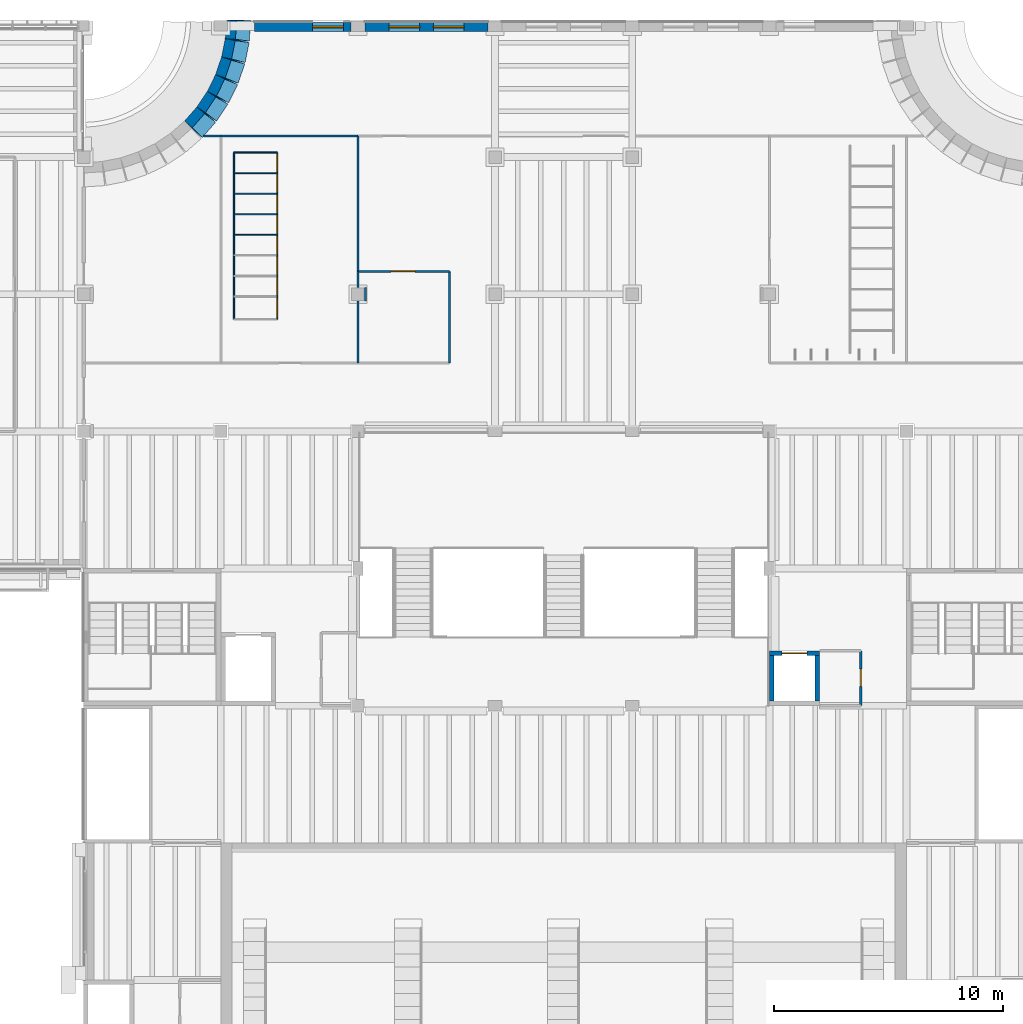
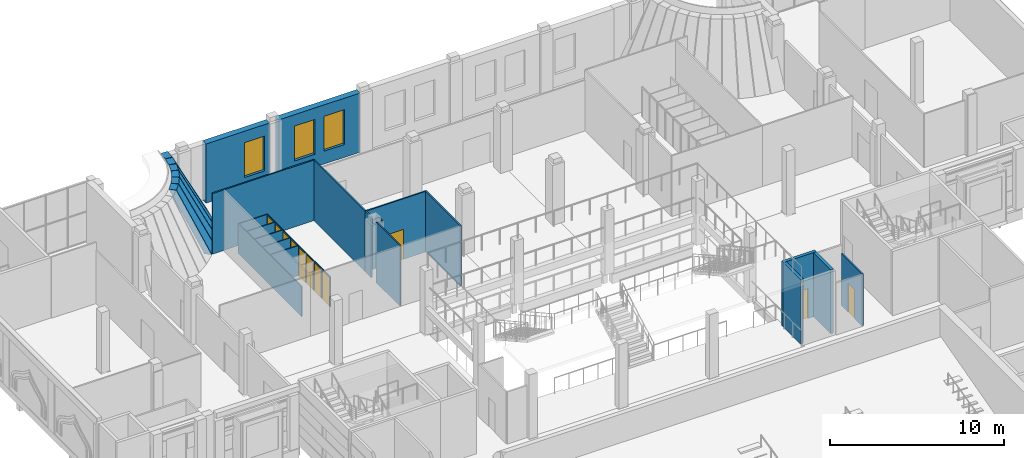
# One storey, part 32 of 70: 34 walls, 11 doors, 3 windows, 14 openings.
"""IFC4 building model written with IfcOpenShell, lengths in metres."""

from ifc_helpers import new_model, si_unit, direction, frame, frame_2d, origin, place, context, subcontext, project, spatial, polyline, rectangle, outline, extrude, material, layer, layer_set, type_object, element, fill, save


model = new_model("IFC4")

# Units and contexts
model_context = context("Model", 3, precision=1e-05, world=origin(), true_north=direction((0.0, 1.0)))
body_context = subcontext(model_context, "Body", "Model", "MODEL_VIEW")
ifc_project = project(units=[si_unit("LENGTHUNIT", "METRE"), si_unit("AREAUNIT", "SQUARE_METRE"), si_unit("VOLUMEUNIT", "CUBIC_METRE"), si_unit("PLANEANGLEUNIT", "RADIAN"), si_unit("MASSUNIT", "GRAM", prefix="KILO")], contexts=[model_context])

# Site, building, storey
site_placement = place(None, origin())
site = spatial("IfcSite", under=ifc_project, at=site_placement, CompositionType="ELEMENT")
building_placement = place(site_placement, origin())
building = spatial("IfcBuilding", under=site, at=building_placement, Name="Saffron Lane Theatres", CompositionType="ELEMENT")
storey_placement = place(building_placement, frame((0.0, 0.0, 12.0)))
storey = spatial("IfcBuildingStorey", under=building, at=storey_placement, Name="L02", CompositionType="ELEMENT", Elevation=12.0)

# Wall, openings, windows
ifc_material_1 = material(Name="Masonry pale clay brick", Category="masonry")
ifc_layer_1 = layer(ifc_material_1, 0.11, Name="facing leaf")
ifc_material_2 = material(Name="Air cavity", Category="air")
ifc_layer_2 = layer(ifc_material_2, 0.05, ventilated=True, Name="cavity")
ifc_material_3 = material(Name="Mineral wool insulation")
ifc_layer_3 = layer(ifc_material_3, 0.06, Name="insulation")
ifc_material_4 = material(Name="Concrete N40 (40 MPa)", Category="concrete")
ifc_layer_4 = layer(ifc_material_4, 0.18, Name="inner leaf")
ifc_layer_set_1 = layer_set([ifc_layer_1, ifc_layer_2, ifc_layer_3, ifc_layer_4], Name="Masonry pale clay brick")
wall_type_1 = type_object("IfcWallType", Name="EX-WALL BRICK 400", PredefinedType="SOLIDWALL", material=ifc_layer_set_1)
wall_1_placement = place(storey_placement, frame((24.300048828125, 125.699951171875, 0.0), z_axis=(0.0, 0.0, 1.0), x_axis=(1.0, 0.0, 0.0)))
wall_1 = element("IfcWall", 1, at=wall_1_placement, inside=storey, type_object=wall_type_1, Name="External wall L02 12", PredefinedType="SOLIDWALL", context=body_context, shape_type="SweptSolid", body=[
    extrude(rectangle(XDim=5.39990234375, YDim=0.39990234375, at=frame_2d((2.699951171875, 0.0))), origin(), (0.0, 0.0, 1.0), 4.14990234375),
])
opening_1_placement = place(wall_1_placement, frame((1.050048828125, 0.0, 0.89990234375)))
opening_1 = element("IfcOpeningElement", 2, at=opening_1_placement, cuts=wall_1, Name="Opening WN02-010", PredefinedType="OPENING", context=body_context, shape_type="SweptSolid", body=[
    extrude(rectangle(XDim=1.35009765625, YDim=2.449951171875, at=frame_2d((0.675048828125, 1.22509765625))), frame((0.0, 0.2099609375, 0.0), z_axis=(0.0, -1.0, 0.0), x_axis=(1.0, 0.0, 0.0)), (0.0, 0.0, 1.0), 0.419921875),
])
opening_2_placement = place(wall_1_placement, frame((3.0, 0.0, 0.89990234375)))
opening_2 = element("IfcOpeningElement", 3, at=opening_2_placement, cuts=wall_1, Name="Opening WN02-011", PredefinedType="OPENING", context=body_context, shape_type="SweptSolid", body=[
    extrude(rectangle(XDim=1.35009765625, YDim=2.449951171875, at=frame_2d((0.675048828125, 1.22509765625))), frame((0.0, 0.2099609375, 0.0), z_axis=(0.0, -1.0, 0.0), x_axis=(1.0, 0.0, 0.0)), (0.0, 0.0, 1.0), 0.419921875),
])
ifc_material_5 = material(Name="Aluminium", Category="aluminium")
window_type = type_object("IfcWindowType", Name="EX-WINDOW 1350x2450", PartitioningType="SINGLE_PANEL", PredefinedType="WINDOW", material=ifc_material_5)
window_1_placement = place(opening_1_placement, origin())
window_1 = element("IfcWindow", 4, at=window_1_placement, inside=storey, type_object=window_type, Name="Window L02 010", OverallHeight=2.449951171875, OverallWidth=1.35009765625, PartitioningType="SINGLE_PANEL", PredefinedType="WINDOW", context=body_context, shape_type="SweptSolid", body=[
    extrude(rectangle(XDim=1.35009765625, YDim=2.449951171875, at=frame_2d((0.675048828125, 1.22509765625))), frame((0.0, 0.030029296875, 0.0), z_axis=(0.0, -1.0, 0.0), x_axis=(1.0, 0.0, 0.0)), (0.0, 0.0, 1.0), 0.06005859375),
])
fill(opening_1, window_1)
window_2_placement = place(opening_2_placement, origin())
window_2 = element("IfcWindow", 5, at=window_2_placement, inside=storey, type_object=window_type, Name="Window L02 011", OverallHeight=2.449951171875, OverallWidth=1.35009765625, PartitioningType="SINGLE_PANEL", PredefinedType="WINDOW", context=body_context, shape_type="SweptSolid", body=[
    extrude(rectangle(XDim=1.35009765625, YDim=2.449951171875, at=frame_2d((0.675048828125, 1.22509765625))), frame((0.0, 0.030029296875, 0.0), z_axis=(0.0, -1.0, 0.0), x_axis=(1.0, 0.0, 0.0)), (0.0, 0.0, 1.0), 0.06005859375),
])
fill(opening_2, window_2)

# Wall, opening, window
ifc_material_6 = material(Name="Masonry pale clay brick (20 MPa)", Category="masonry")
ifc_layer_5 = layer(ifc_material_6, 0.39990234375)
ifc_layer_set_2 = layer_set([ifc_layer_5], Name="Masonry pale clay brick (20 MPa)")
wall_type_2 = type_object("IfcWallType", Name="EX-WALL BRICK BEARING 400", PredefinedType="SOLIDWALL", material=ifc_layer_set_2)
wall_2_placement = place(storey_placement, frame((19.474365234375, 125.699951171875, 0.0), z_axis=(0.0, 0.0, 1.0), x_axis=(1.0, 0.0, 0.0)))
wall_2 = element("IfcWall", 6, at=wall_2_placement, inside=storey, type_object=wall_type_2, Name="External wall L02 10", PredefinedType="SOLIDWALL", context=body_context, shape_type="SweptSolid", body=[
    extrude(rectangle(XDim=4.2255859375, YDim=0.39990234375, at=frame_2d((2.11279296875, 0.0))), origin(), (0.0, 0.0, 1.0), 4.14990234375),
])
opening_3_placement = place(wall_2_placement, frame((2.537841796875, 0.0, 0.89990234375)))
opening_3 = element("IfcOpeningElement", 7, at=opening_3_placement, cuts=wall_2, Name="Opening WN02-009", PredefinedType="OPENING", context=body_context, shape_type="SweptSolid", body=[
    extrude(rectangle(XDim=1.35009765625, YDim=2.449951171875, at=frame_2d((0.675048828125, 1.22509765625))), frame((0.0, 0.2099609375, 0.0), z_axis=(0.0, -1.0, 0.0), x_axis=(1.0, 0.0, 0.0)), (0.0, 0.0, 1.0), 0.419921875),
])
window_3_placement = place(opening_3_placement, origin())
window_3 = element("IfcWindow", 8, at=window_3_placement, inside=storey, type_object=window_type, Name="Window L02 009", OverallHeight=2.449951171875, OverallWidth=1.35009765625, PartitioningType="SINGLE_PANEL", PredefinedType="WINDOW", context=body_context, shape_type="SweptSolid", body=[
    extrude(rectangle(XDim=1.35009765625, YDim=2.449951171875, at=frame_2d((0.675048828125, 1.22509765625))), frame((0.0, 0.030029296875, 0.0), z_axis=(0.0, -1.0, 0.0), x_axis=(1.0, 0.0, 0.0)), (0.0, 0.0, 1.0), 0.06005859375),
])
fill(opening_3, window_3)

# Wall, opening, door
ifc_material_7 = material(Name="Masonry block partition", Category="masonry")
ifc_layer_6 = layer(ifc_material_7, 0.110107421875)
ifc_layer_set_3 = layer_set([ifc_layer_6], Name="Masonry block partition")
wall_type_3 = type_object("IfcWallType", Name="IN-BLOCK PARTITION 110", PredefinedType="PARTITIONING", material=ifc_layer_set_3)
wall_3_placement = place(storey_placement, frame((46.0, 96.0, 0.0), z_axis=(0.0, 0.0, 1.0), x_axis=(0.0, 1.0, 0.0)))
wall_3 = element("IfcWall", 9, at=wall_3_placement, inside=storey, type_object=wall_type_3, Name="PW-L02-010", PredefinedType="PARTITIONING", context=body_context, shape_type="SweptSolid", body=[
    extrude(rectangle(XDim=2.39990234375, YDim=0.110107421875, at=frame_2d((1.199951171875, 0.0))), origin(), (0.0, 0.0, 1.0), 3.64990234375),
])
opening_4_placement = place(wall_3_placement, frame((0.85009765625, 0.0, 0.0)))
opening_4 = element("IfcOpeningElement", 10, at=opening_4_placement, cuts=wall_3, Name="Opening D02-34", PredefinedType="OPENING", context=body_context, shape_type="SweptSolid", body=[
    extrude(rectangle(XDim=0.75, YDim=2.0400390625, at=frame_2d((0.375, 1.02001953125))), frame((0.0, 0.06494140625, 0.0), z_axis=(0.0, -1.0, 0.0), x_axis=(1.0, 0.0, 0.0)), (0.0, 0.0, 1.0), 0.130126953125),
])
ifc_material_8 = material(Name="Steel faced fire door leaf", Category="steel")
door_type_1 = type_object("IfcDoorType", Name="IN-DOOR 750x2040 FD60", OperationType="NOTDEFINED", PredefinedType="DOOR", material=ifc_material_8)
door_1_placement = place(opening_4_placement, origin())
door_1 = element("IfcDoor", 11, at=door_1_placement, inside=storey, type_object=door_type_1, Name="D02-34", OperationType="SINGLE_SWING_LEFT", OverallHeight=2.0400390625, OverallWidth=0.75, PredefinedType="DOOR", context=body_context, shape_type="SweptSolid", body=[
    extrude(rectangle(XDim=0.75, YDim=2.0400390625, at=frame_2d((0.375, 1.02001953125))), frame((0.0, 0.02490234375, 0.0), z_axis=(0.0, -1.0, 0.0), x_axis=(1.0, 0.0, 0.0)), (0.0, 0.0, 1.0), 0.050048828125),
])
fill(opening_4, door_1)

# Walls
ifc_material_9 = material(Name="Laminate cubicle panel")
ifc_layer_7 = layer(ifc_material_9, 0.050048828125)
ifc_layer_set_4 = layer_set([ifc_layer_7], Name="Laminate cubicle panel")
wall_type_4 = type_object("IfcWallType", Name="IN-CUBICLE PANEL 050", PredefinedType="PARTITIONING", material=ifc_layer_set_4)
for number, where, z_axis, x_axis, name in (
    (12, (18.574951171875, 116.60009765625, 0.0), (0.0, 0.0, 1.0), (1.0, 0.0, 0.0), "PW-L02-110"),
    (13, (18.574951171875, 117.5, 0.0), (0.0, 0.0, 1.0), (1.0, 0.0, 0.0), "PW-L02-111"),
    (14, (18.574951171875, 118.39990234375, 0.0), (0.0, 0.0, 1.0), (1.0, 0.0, 0.0), "PW-L02-112"),
    (15, (18.574951171875, 119.300048828125, 0.0), (0.0, 0.0, 1.0), (1.0, 0.0, 0.0), "PW-L02-113"),
    (16, (18.574951171875, 120.199951171875, 0.0), (0.0, 0.0, 1.0), (1.0, 0.0, 0.0), "PW-L02-114"),
):
    element("IfcWall", number, at=place(storey_placement, frame(where, z_axis=z_axis, x_axis=x_axis)), inside=storey, type_object=wall_type_4, Name=name, PredefinedType="PARTITIONING", context=body_context, shape_type="SweptSolid", body=[
        extrude(rectangle(XDim=1.900146484375, YDim=0.050048828125, at=frame_2d((0.9501953125, 0.0))), origin(), (0.0, 0.0, 1.0), 2.10009765625),
    ])

# Wall, opening, door
wall_4_placement = place(storey_placement, frame((20.47509765625, 112.89990234375, 0.0), z_axis=(0.0, 0.0, 1.0), x_axis=(0.0, 1.0, 0.0)))
wall_4 = element("IfcWall", 17, at=wall_4_placement, inside=storey, type_object=wall_type_4, Name="PW-L02-115", PredefinedType="PARTITIONING", context=body_context, shape_type="SweptSolid", body=[
    extrude(rectangle(XDim=1.0, YDim=0.050048828125, at=frame_2d((0.5, 0.0))), origin(), (0.0, 0.0, 1.0), 2.10009765625),
])
opening_5_placement = place(wall_4_placement, frame((0.090087890625, 0.0, 0.0)))
opening_5 = element("IfcOpeningElement", 18, at=opening_5_placement, cuts=wall_4, Name="Opening D02-54", PredefinedType="OPENING", context=body_context, shape_type="SweptSolid", body=[
    extrude(rectangle(XDim=0.820068359375, YDim=2.0, at=frame_2d((0.41015625, 1.0))), frame((0.0, 0.03515625, 0.0), z_axis=(0.0, -1.0, 0.0), x_axis=(1.0, 0.0, 0.0)), (0.0, 0.0, 1.0), 0.070068359375),
])
ifc_material_10 = material(Name="Timber door leaf", Category="wood")
door_type_2 = type_object("IfcDoorType", Name="IN-DOOR 820x2000", OperationType="NOTDEFINED", PredefinedType="DOOR", material=ifc_material_10)
door_2_placement = place(opening_5_placement, origin())
door_2 = element("IfcDoor", 19, at=door_2_placement, inside=storey, type_object=door_type_2, Name="D02-54", OperationType="SINGLE_SWING_LEFT", OverallHeight=2.0, OverallWidth=0.820068359375, PredefinedType="DOOR", context=body_context, shape_type="SweptSolid", body=[
    extrude(rectangle(XDim=0.820068359375, YDim=2.0, at=frame_2d((0.41015625, 1.0))), frame((0.0, 0.02490234375, 0.0), z_axis=(0.0, -1.0, 0.0), x_axis=(1.0, 0.0, 0.0)), (0.0, 0.0, 1.0), 0.049560546875),
])
fill(opening_5, door_2)

wall_5_placement = place(storey_placement, frame((20.47509765625, 113.89990234375, 0.0), z_axis=(0.0, 0.0, 1.0), x_axis=(0.0, 1.0, 0.0)))
wall_5 = element("IfcWall", 20, at=wall_5_placement, inside=storey, type_object=wall_type_4, Name="PW-L02-116", PredefinedType="PARTITIONING", context=body_context, shape_type="SweptSolid", body=[
    extrude(rectangle(XDim=0.900146484375, YDim=0.050048828125, at=frame_2d((0.4501953125, 0.0))), origin(), (0.0, 0.0, 1.0), 2.10009765625),
])
opening_6_placement = place(wall_5_placement, frame((0.074951171875, 0.0, 0.0)))
opening_6 = element("IfcOpeningElement", 21, at=opening_6_placement, cuts=wall_5, Name="Opening D02-55", PredefinedType="OPENING", context=body_context, shape_type="SweptSolid", body=[
    extrude(rectangle(XDim=0.75, YDim=2.0, at=frame_2d((0.375, 1.0))), frame((0.0, 0.03515625, 0.0), z_axis=(0.0, -1.0, 0.0), x_axis=(1.0, 0.0, 0.0)), (0.0, 0.0, 1.0), 0.070068359375),
])
ifc_material_11 = material(Name="Timber door leaf", Category="wood")
door_type_3 = type_object("IfcDoorType", Name="IN-DOOR 750x2000", OperationType="NOTDEFINED", PredefinedType="DOOR", material=ifc_material_11)
door_3_placement = place(opening_6_placement, origin())
door_3 = element("IfcDoor", 22, at=door_3_placement, inside=storey, type_object=door_type_3, Name="D02-55", OperationType="SINGLE_SWING_RIGHT", OverallHeight=2.0, OverallWidth=0.75, PredefinedType="DOOR", context=body_context, shape_type="SweptSolid", body=[
    extrude(rectangle(XDim=0.75, YDim=2.0, at=frame_2d((0.375, 1.0))), frame((0.0, 0.02490234375, 0.0), z_axis=(0.0, -1.0, 0.0), x_axis=(1.0, 0.0, 0.0)), (0.0, 0.0, 1.0), 0.049560546875),
])
fill(opening_6, door_3)

wall_6_placement = place(storey_placement, frame((20.47509765625, 114.800048828125, 0.0), z_axis=(0.0, 0.0, 1.0), x_axis=(0.0, 1.0, 0.0)))
wall_6 = element("IfcWall", 23, at=wall_6_placement, inside=storey, type_object=wall_type_4, Name="PW-L02-117", PredefinedType="PARTITIONING", context=body_context, shape_type="SweptSolid", body=[
    extrude(rectangle(XDim=0.89990234375, YDim=0.050048828125, at=frame_2d((0.449951171875, 0.0))), origin(), (0.0, 0.0, 1.0), 2.10009765625),
])
opening_7_placement = place(wall_6_placement, frame((0.074951171875, 0.0, 0.0)))
opening_7 = element("IfcOpeningElement", 24, at=opening_7_placement, cuts=wall_6, Name="Opening D02-56", PredefinedType="OPENING", context=body_context, shape_type="SweptSolid", body=[
    extrude(rectangle(XDim=0.75, YDim=2.0, at=frame_2d((0.375, 1.0))), frame((0.0, 0.03515625, 0.0), z_axis=(0.0, -1.0, 0.0), x_axis=(1.0, 0.0, 0.0)), (0.0, 0.0, 1.0), 0.070068359375),
])
door_4_placement = place(opening_7_placement, origin())
door_4 = element("IfcDoor", 25, at=door_4_placement, inside=storey, type_object=door_type_3, Name="D02-56", OperationType="SINGLE_SWING_LEFT", OverallHeight=2.0, OverallWidth=0.75, PredefinedType="DOOR", context=body_context, shape_type="SweptSolid", body=[
    extrude(rectangle(XDim=0.75, YDim=2.0, at=frame_2d((0.375, 1.0))), frame((0.0, 0.02490234375, 0.0), z_axis=(0.0, -1.0, 0.0), x_axis=(1.0, 0.0, 0.0)), (0.0, 0.0, 1.0), 0.049560546875),
])
fill(opening_7, door_4)

wall_7_placement = place(storey_placement, frame((20.47509765625, 115.699951171875, 0.0), z_axis=(0.0, 0.0, 1.0), x_axis=(0.0, 1.0, 0.0)))
wall_7 = element("IfcWall", 26, at=wall_7_placement, inside=storey, type_object=wall_type_4, Name="PW-L02-118", PredefinedType="PARTITIONING", context=body_context, shape_type="SweptSolid", body=[
    extrude(rectangle(XDim=0.900146484375, YDim=0.050048828125, at=frame_2d((0.4501953125, 0.0))), origin(), (0.0, 0.0, 1.0), 2.10009765625),
])
opening_8_placement = place(wall_7_placement, frame((0.074951171875, 0.0, 0.0)))
opening_8 = element("IfcOpeningElement", 27, at=opening_8_placement, cuts=wall_7, Name="Opening D02-57", PredefinedType="OPENING", context=body_context, shape_type="SweptSolid", body=[
    extrude(rectangle(XDim=0.75, YDim=2.0, at=frame_2d((0.375, 1.0))), frame((0.0, 0.03515625, 0.0), z_axis=(0.0, -1.0, 0.0), x_axis=(1.0, 0.0, 0.0)), (0.0, 0.0, 1.0), 0.070068359375),
])
door_5_placement = place(opening_8_placement, origin())
door_5 = element("IfcDoor", 28, at=door_5_placement, inside=storey, type_object=door_type_3, Name="D02-57", OperationType="SINGLE_SWING_RIGHT", OverallHeight=2.0, OverallWidth=0.75, PredefinedType="DOOR", context=body_context, shape_type="SweptSolid", body=[
    extrude(rectangle(XDim=0.75, YDim=2.0, at=frame_2d((0.375, 1.0))), frame((0.0, 0.02490234375, 0.0), z_axis=(0.0, -1.0, 0.0), x_axis=(1.0, 0.0, 0.0)), (0.0, 0.0, 1.0), 0.049560546875),
])
fill(opening_8, door_5)

wall_8_placement = place(storey_placement, frame((20.47509765625, 116.60009765625, 0.0), z_axis=(0.0, 0.0, 1.0), x_axis=(0.0, 1.0, 0.0)))
wall_8 = element("IfcWall", 29, at=wall_8_placement, inside=storey, type_object=wall_type_4, Name="PW-L02-119", PredefinedType="PARTITIONING", context=body_context, shape_type="SweptSolid", body=[
    extrude(rectangle(XDim=0.89990234375, YDim=0.050048828125, at=frame_2d((0.449951171875, 0.0))), origin(), (0.0, 0.0, 1.0), 2.10009765625),
])
opening_9_placement = place(wall_8_placement, frame((0.074951171875, 0.0, 0.0)))
opening_9 = element("IfcOpeningElement", 30, at=opening_9_placement, cuts=wall_8, Name="Opening D02-58", PredefinedType="OPENING", context=body_context, shape_type="SweptSolid", body=[
    extrude(rectangle(XDim=0.75, YDim=2.0, at=frame_2d((0.375, 1.0))), frame((0.0, 0.03515625, 0.0), z_axis=(0.0, -1.0, 0.0), x_axis=(1.0, 0.0, 0.0)), (0.0, 0.0, 1.0), 0.070068359375),
])
door_6_placement = place(opening_9_placement, origin())
door_6 = element("IfcDoor", 31, at=door_6_placement, inside=storey, type_object=door_type_3, Name="D02-58", OperationType="SINGLE_SWING_LEFT", OverallHeight=2.0, OverallWidth=0.75, PredefinedType="DOOR", context=body_context, shape_type="SweptSolid", body=[
    extrude(rectangle(XDim=0.75, YDim=2.0, at=frame_2d((0.375, 1.0))), frame((0.0, 0.02490234375, 0.0), z_axis=(0.0, -1.0, 0.0), x_axis=(1.0, 0.0, 0.0)), (0.0, 0.0, 1.0), 0.049560546875),
])
fill(opening_9, door_6)

wall_9_placement = place(storey_placement, frame((20.47509765625, 117.5, 0.0), z_axis=(0.0, 0.0, 1.0), x_axis=(0.0, 1.0, 0.0)))
wall_9 = element("IfcWall", 32, at=wall_9_placement, inside=storey, type_object=wall_type_4, Name="PW-L02-120", PredefinedType="PARTITIONING", context=body_context, shape_type="SweptSolid", body=[
    extrude(rectangle(XDim=0.89990234375, YDim=0.050048828125, at=frame_2d((0.449951171875, 0.0))), origin(), (0.0, 0.0, 1.0), 2.10009765625),
])
opening_10_placement = place(wall_9_placement, frame((0.074951171875, 0.0, 0.0)))
opening_10 = element("IfcOpeningElement", 33, at=opening_10_placement, cuts=wall_9, Name="Opening D02-59", PredefinedType="OPENING", context=body_context, shape_type="SweptSolid", body=[
    extrude(rectangle(XDim=0.75, YDim=2.0, at=frame_2d((0.375, 1.0))), frame((0.0, 0.03515625, 0.0), z_axis=(0.0, -1.0, 0.0), x_axis=(1.0, 0.0, 0.0)), (0.0, 0.0, 1.0), 0.070068359375),
])
door_7_placement = place(opening_10_placement, origin())
door_7 = element("IfcDoor", 34, at=door_7_placement, inside=storey, type_object=door_type_3, Name="D02-59", OperationType="SINGLE_SWING_RIGHT", OverallHeight=2.0, OverallWidth=0.75, PredefinedType="DOOR", context=body_context, shape_type="SweptSolid", body=[
    extrude(rectangle(XDim=0.75, YDim=2.0, at=frame_2d((0.375, 1.0))), frame((0.0, 0.02490234375, 0.0), z_axis=(0.0, -1.0, 0.0), x_axis=(1.0, 0.0, 0.0)), (0.0, 0.0, 1.0), 0.049560546875),
])
fill(opening_10, door_7)

wall_10_placement = place(storey_placement, frame((20.47509765625, 118.39990234375, 0.0), z_axis=(0.0, 0.0, 1.0), x_axis=(0.0, 1.0, 0.0)))
wall_10 = element("IfcWall", 35, at=wall_10_placement, inside=storey, type_object=wall_type_4, Name="PW-L02-121", PredefinedType="PARTITIONING", context=body_context, shape_type="SweptSolid", body=[
    extrude(rectangle(XDim=0.900146484375, YDim=0.050048828125, at=frame_2d((0.4501953125, 0.0))), origin(), (0.0, 0.0, 1.0), 2.10009765625),
])
opening_11_placement = place(wall_10_placement, frame((0.074951171875, 0.0, 0.0)))
opening_11 = element("IfcOpeningElement", 36, at=opening_11_placement, cuts=wall_10, Name="Opening D02-60", PredefinedType="OPENING", context=body_context, shape_type="SweptSolid", body=[
    extrude(rectangle(XDim=0.75, YDim=2.0, at=frame_2d((0.375, 1.0))), frame((0.0, 0.03515625, 0.0), z_axis=(0.0, -1.0, 0.0), x_axis=(1.0, 0.0, 0.0)), (0.0, 0.0, 1.0), 0.070068359375),
])
door_8_placement = place(opening_11_placement, origin())
door_8 = element("IfcDoor", 37, at=door_8_placement, inside=storey, type_object=door_type_3, Name="D02-60", OperationType="SINGLE_SWING_LEFT", OverallHeight=2.0, OverallWidth=0.75, PredefinedType="DOOR", context=body_context, shape_type="SweptSolid", body=[
    extrude(rectangle(XDim=0.75, YDim=2.0, at=frame_2d((0.375, 1.0))), frame((0.0, 0.02490234375, 0.0), z_axis=(0.0, -1.0, 0.0), x_axis=(1.0, 0.0, 0.0)), (0.0, 0.0, 1.0), 0.049560546875),
])
fill(opening_11, door_8)

wall_11_placement = place(storey_placement, frame((20.47509765625, 119.300048828125, 0.0), z_axis=(0.0, 0.0, 1.0), x_axis=(0.0, 1.0, 0.0)))
wall_11 = element("IfcWall", 38, at=wall_11_placement, inside=storey, type_object=wall_type_4, Name="PW-L02-122", PredefinedType="PARTITIONING", context=body_context, shape_type="SweptSolid", body=[
    extrude(rectangle(XDim=0.89990234375, YDim=0.050048828125, at=frame_2d((0.449951171875, 0.0))), origin(), (0.0, 0.0, 1.0), 2.10009765625),
])
opening_12_placement = place(wall_11_placement, frame((0.074951171875, 0.0, 0.0)))
opening_12 = element("IfcOpeningElement", 39, at=opening_12_placement, cuts=wall_11, Name="Opening D02-61", PredefinedType="OPENING", context=body_context, shape_type="SweptSolid", body=[
    extrude(rectangle(XDim=0.75, YDim=2.0, at=frame_2d((0.375, 1.0))), frame((0.0, 0.03515625, 0.0), z_axis=(0.0, -1.0, 0.0), x_axis=(1.0, 0.0, 0.0)), (0.0, 0.0, 1.0), 0.070068359375),
])
door_9_placement = place(opening_12_placement, origin())
door_9 = element("IfcDoor", 40, at=door_9_placement, inside=storey, type_object=door_type_3, Name="D02-61", OperationType="SINGLE_SWING_RIGHT", OverallHeight=2.0, OverallWidth=0.75, PredefinedType="DOOR", context=body_context, shape_type="SweptSolid", body=[
    extrude(rectangle(XDim=0.75, YDim=2.0, at=frame_2d((0.375, 1.0))), frame((0.0, 0.02490234375, 0.0), z_axis=(0.0, -1.0, 0.0), x_axis=(1.0, 0.0, 0.0)), (0.0, 0.0, 1.0), 0.049560546875),
])
fill(opening_12, door_9)

# Walls
ifc_material_12 = material(Name="Laminate service partition")
ifc_layer_8 = layer(ifc_material_12, 0.06005859375)
ifc_layer_set_5 = layer_set([ifc_layer_8], Name="Laminate service partition")
wall_type_5 = type_object("IfcWallType", Name="IN-SERVICE PARTITION 060", PredefinedType="PARTITIONING", material=ifc_layer_set_5)
wall_12_placement = place(storey_placement, frame((18.574951171875, 112.89990234375, 0.0), z_axis=(0.0, 0.0, 1.0), x_axis=(0.0, 1.0, 0.0)))
element("IfcWall", 41, at=wall_12_placement, inside=storey, type_object=wall_type_5, Name="PW-L02-105", PredefinedType="PARTITIONING", context=body_context, shape_type="SweptSolid", body=[
    extrude(rectangle(XDim=7.300048828125, YDim=0.06005859375, at=frame_2d((3.64990234375, 0.0))), origin(), (0.0, 0.0, 1.0), 2.10009765625),
])
ifc_material_13 = material(Name="Plasterboard on 90 mm steel studs", Category="steel")
ifc_layer_9 = layer(ifc_material_13, 0.090087890625)
ifc_layer_set_6 = layer_set([ifc_layer_9], Name="Plasterboard on 90 mm steel studs")
wall_type_6 = type_object("IfcWallType", Name="IN-STUD PARTITION 090", PredefinedType="PARTITIONING", material=ifc_layer_set_6)
wall_13_placement = place(storey_placement, frame((17.25146484375, 120.929931640625, 0.0), z_axis=(0.0, 0.0, 1.0), x_axis=(1.0, 0.0, 0.0)))
element("IfcWall", 42, at=wall_13_placement, inside=storey, type_object=wall_type_6, Name="PW-L02-056", PredefinedType="PARTITIONING", context=body_context, shape_type="SweptSolid", body=[
    extrude(rectangle(XDim=0.74853515625, YDim=0.090087890625, at=frame_2d((0.374267578125, 0.0))), origin(), (0.0, 0.0, 1.0), 4.25),
])
wall_14_placement = place(storey_placement, frame((18.0, 120.929931640625, 0.0), z_axis=(0.0, 0.0, 1.0), x_axis=(1.0, 0.0, 0.0)))
element("IfcWall", 43, at=wall_14_placement, inside=storey, type_object=wall_type_6, Name="PW-L02-059", PredefinedType="PARTITIONING", context=body_context, shape_type="SweptSolid", body=[
    extrude(rectangle(XDim=6.0, YDim=0.090087890625, at=frame_2d((3.0, 0.0))), origin(), (0.0, 0.0, 1.0), 4.25),
])

# Wall, opening, door
wall_15_placement = place(storey_placement, frame((24.0, 115.0, 0.0), z_axis=(0.0, 0.0, 1.0), x_axis=(1.0, 0.0, 0.0)))
wall_15 = element("IfcWall", 44, at=wall_15_placement, inside=storey, type_object=wall_type_6, Name="PW-L02-060", PredefinedType="PARTITIONING", context=body_context, shape_type="SweptSolid", body=[
    extrude(rectangle(XDim=4.0, YDim=0.090087890625, at=frame_2d((2.0, 0.0))), origin(), (0.0, 0.0, 1.0), 4.25),
])
opening_13_placement = place(wall_15_placement, frame((1.449951171875, 0.0, 0.0)))
opening_13 = element("IfcOpeningElement", 45, at=opening_13_placement, cuts=wall_15, Name="Opening D02-07", PredefinedType="OPENING", context=body_context, shape_type="SweptSolid", body=[
    extrude(rectangle(XDim=1.050048828125, YDim=2.10009765625, at=frame_2d((0.52490234375, 1.050048828125))), frame((0.0, 0.05517578125, 0.0), z_axis=(0.0, -1.0, 0.0), x_axis=(1.0, 0.0, 0.0)), (0.0, 0.0, 1.0), 0.110107421875),
])
ifc_material_14 = material(Name="Timber door leaf", Category="wood")
door_type_4 = type_object("IfcDoorType", Name="IN-DOOR 1050x2100", OperationType="NOTDEFINED", PredefinedType="DOOR", material=ifc_material_14)
door_10_placement = place(opening_13_placement, frame((1.050048828125, 0.0, 0.0), z_axis=(0.0, 0.0, 1.0), x_axis=(-1.0, 0.0, 0.0)))
door_10 = element("IfcDoor", 46, at=door_10_placement, inside=storey, type_object=door_type_4, Name="D02-07", OperationType="SINGLE_SWING_RIGHT", OverallHeight=2.10009765625, OverallWidth=1.050048828125, PredefinedType="DOOR", context=body_context, shape_type="SweptSolid", body=[
    extrude(rectangle(XDim=1.050048828125, YDim=2.10009765625, at=frame_2d((0.52490234375, 1.050048828125))), frame((0.0, 0.02490234375, 0.0), z_axis=(0.0, -1.0, 0.0), x_axis=(1.0, 0.0, 0.0)), (0.0, 0.0, 1.0), 0.050048828125),
])
fill(opening_13, door_10)

# Walls
wall_16_placement = place(storey_placement, frame((28.0, 111.0, 0.0), z_axis=(0.0, 0.0, 1.0), x_axis=(0.0, 1.0, 0.0)))
element("IfcWall", 47, at=wall_16_placement, inside=storey, type_object=wall_type_6, Name="PW-L02-061", PredefinedType="PARTITIONING", context=body_context, shape_type="SweptSolid", body=[
    extrude(rectangle(XDim=4.0, YDim=0.090087890625, at=frame_2d((2.0, 0.0))), origin(), (0.0, 0.0, 1.0), 4.25),
])
wall_17_placement = place(storey_placement, frame((24.0, 114.294921875, 0.0), z_axis=(0.0, 0.0, 1.0), x_axis=(0.0, 1.0, 0.0)))
element("IfcWall", 48, at=wall_17_placement, inside=storey, type_object=wall_type_6, Name="PW-L02-063", PredefinedType="PARTITIONING", context=body_context, shape_type="SweptSolid", body=[
    extrude(rectangle(XDim=0.705078125, YDim=0.090087890625, at=frame_2d((0.3525390625, 0.0))), origin(), (0.0, 0.0, 1.0), 4.25),
])
wall_18_placement = place(storey_placement, frame((24.0, 111.0, 0.0), z_axis=(0.0, 0.0, 1.0), x_axis=(0.0, 1.0, 0.0)))
element("IfcWall", 49, at=wall_18_placement, inside=storey, type_object=wall_type_6, Name="PW-L02-064", PredefinedType="PARTITIONING", context=body_context, shape_type="SweptSolid", body=[
    extrude(rectangle(XDim=2.705078125, YDim=0.090087890625, at=frame_2d((1.3525390625, 0.0))), origin(), (0.0, 0.0, 1.0), 4.25),
])
wall_19_placement = place(storey_placement, frame((24.324951171875, 113.705078125, 0.0), z_axis=(0.0, 0.0, 1.0), x_axis=(0.0, 1.0, 0.0)))
element("IfcWall", 50, at=wall_19_placement, inside=storey, type_object=wall_type_6, Name="PW-L02-065", PredefinedType="PARTITIONING", context=body_context, shape_type="SweptSolid", body=[
    extrude(rectangle(XDim=0.58984375, YDim=0.090087890625, at=frame_2d((0.294921875, 0.0))), origin(), (0.0, 0.0, 1.0), 4.25),
])
wall_20_placement = place(storey_placement, frame((24.0, 115.0, 0.0), z_axis=(0.0, 0.0, 1.0), x_axis=(0.0, 1.0, 0.0)))
element("IfcWall", 51, at=wall_20_placement, inside=storey, type_object=wall_type_6, Name="PW-L02-066", PredefinedType="PARTITIONING", context=body_context, shape_type="SweptSolid", body=[
    extrude(rectangle(XDim=5.929931640625, YDim=0.090087890625, at=frame_2d((2.96484375, 0.0))), origin(), (0.0, 0.0, 1.0), 4.25),
])

# Wall, opening, door
ifc_material_15 = material(Name="Concrete N50 (50 MPa)", Category="concrete")
ifc_layer_10 = layer(ifc_material_15, 0.199951171875)
ifc_layer_set_7 = layer_set([ifc_layer_10], Name="Concrete N50 (50 MPa)")
wall_type_7 = type_object("IfcWallType", Name="RC-CORE 200", PredefinedType="SHEAR", material=ifc_layer_set_7)
wall_21_placement = place(storey_placement, frame((42.0, 98.300048828125, 0.0), z_axis=(0.0, 0.0, 1.0), x_axis=(1.0, 0.0, 0.0)))
wall_21 = element("IfcWall", 52, at=wall_21_placement, inside=storey, type_object=wall_type_7, Name="W-LC2-N-L02", PredefinedType="SHEAR", context=body_context, shape_type="SweptSolid", body=[
    extrude(rectangle(XDim=2.199951171875, YDim=0.199951171875, at=frame_2d((1.10009765625, 0.0))), origin(), (0.0, 0.0, 1.0), 4.5),
])
opening_14_placement = place(wall_21_placement, frame((0.550048828125, 0.0, 0.0)))
opening_14 = element("IfcOpeningElement", 53, at=opening_14_placement, cuts=wall_21, Name="Opening LD7", PredefinedType="OPENING", context=body_context, shape_type="SweptSolid", body=[
    extrude(rectangle(XDim=1.10009765625, YDim=2.10009765625, at=frame_2d((0.550048828125, 1.050048828125))), frame((0.0, 0.10986328125, 0.0), z_axis=(0.0, -1.0, 0.0), x_axis=(1.0, 0.0, 0.0)), (0.0, 0.0, 1.0), 0.219970703125),
])
ifc_material_16 = material(Name="Stainless steel 316", Category="steel")
door_type_5 = type_object("IfcDoorType", Name="VC-LANDING DOOR 1100x2100", OperationType="DOUBLE_DOOR_SLIDING", PredefinedType="DOOR", material=ifc_material_16)
door_11_placement = place(opening_14_placement, origin())
door_11 = element("IfcDoor", 54, at=door_11_placement, inside=storey, type_object=door_type_5, Name="Landing doors LC2 L02", OperationType="DOUBLE_DOOR_SLIDING", OverallHeight=2.10009765625, OverallWidth=1.10009765625, PredefinedType="DOOR", context=body_context, shape_type="SweptSolid", body=[
    extrude(rectangle(XDim=1.10009765625, YDim=2.10009765625, at=frame_2d((0.550048828125, 1.050048828125))), frame((0.0, 0.02490234375, 0.0), z_axis=(0.0, -1.0, 0.0), x_axis=(1.0, 0.0, 0.0)), (0.0, 0.0, 1.0), 0.050048828125),
])
fill(opening_14, door_11)

# Walls
for number, where, z_axis, x_axis, name in (
    (55, (42.10009765625, 96.199951171875, 0.0), (0.0, 0.0, 1.0), (0.0, 1.0, 0.0), "W-LC2-W-L02"),
    (56, (44.10009765625, 96.199951171875, 0.0), (0.0, 0.0, 1.0), (0.0, 1.0, 0.0), "W-LC2-E-L02"),
):
    element("IfcWall", number, at=place(storey_placement, frame(where, z_axis=z_axis, x_axis=x_axis)), inside=storey, type_object=wall_type_7, Name=name, PredefinedType="SHEAR", context=body_context, shape_type="SweptSolid", body=[
        extrude(rectangle(XDim=2.0, YDim=0.199951171875, at=frame_2d((1.0, 0.0))), origin(), (0.0, 0.0, 1.0), 4.5),
    ])
ifc_layer_11 = layer(ifc_material_1, 0.11, Name="facing")
ifc_material_17 = material(Name="Concrete N50 (50 MPa)", Category="concrete")
ifc_layer_12 = layer(ifc_material_17, 0.29, Name="structure")
ifc_layer_set_8 = layer_set([ifc_layer_11, ifc_layer_12], Name="Concrete N50 (50 MPa)")
wall_type_8 = type_object("IfcWallType", Name="RC-SCOOP 400", PredefinedType="SOLIDWALL", material=ifc_layer_set_8)
wall_22_placement = place(storey_placement, frame((18.85693359375, 125.99951171875, 0.0), z_axis=(0.889685498337, -0.058375301922, 0.452826719811), x_axis=(-0.065498262539, -0.997852682036, 5.0577314e-05)))
element("IfcWall", 57, at=wall_22_placement, inside=storey, type_object=wall_type_8, Name="W-SCOOP-NW-L02-1-F1", PredefinedType="SOLIDWALL", context=body_context, shape_type="SweptSolid", body=[
    extrude(outline(polyline([(0.0, 0.0), (0.8969514193397545, -3.469446951953614e-18), (0.7592713980909561, -4.654408625095899), (0.1385621778989053, -4.65449471675665), (0.0, 0.0)])), origin(), (-9.5471789e-05, 0.452826714022, 0.891598540798), 0.44873046875),
])
wall_23_placement = place(storey_placement, frame((18.798095703125, 125.1044921875, 0.0), z_axis=(0.874485160623, -0.173864175636, 0.452821104058), x_axis=(-0.194983637213, -0.980806494595, -3.7134606e-05)))
element("IfcWall", 58, at=wall_23_placement, inside=storey, type_object=wall_type_8, Name="W-SCOOP-NW-L02-1-F2", PredefinedType="SOLIDWALL", context=body_context, shape_type="SweptSolid", body=[
    extrude(outline(polyline([(0.0, 0.0), (0.8968393760427665, 0.0), (0.7583680139227112, -4.654468389032223), (0.13779612059175622, -4.654405189859966), (0.0, 0.0)])), origin(), (0.000108512443, 0.452821098111, 0.891601391503), 0.44873046875),
])
wall_24_placement = place(storey_placement, frame((18.623291015625, 124.224853515625, 0.0), z_axis=(0.84427927495, -0.286590212598, 0.4528339165), x_axis=(-0.321438214512, -0.946930554063, 5.728117e-06)))
element("IfcWall", 59, at=wall_24_placement, inside=storey, type_object=wall_type_8, Name="W-SCOOP-NW-L02-1-F3", PredefinedType="SOLIDWALL", context=body_context, shape_type="SweptSolid", body=[
    extrude(outline(polyline([(0.0, 0.0), (0.8969701974913831, 0.0), (0.7588027049681345, -4.654465894553028), (0.13822729850169463, -4.654475644136189), (0.0, 0.0)])), origin(), (9.21899e-07, 0.452833916512, 0.891594887858), 0.44873046875),
])
wall_25_placement = place(storey_placement, frame((18.3349609375, 123.37548828125, 0.0), z_axis=(0.79960239595, -0.394422706522, 0.452842949565), x_axis=(-0.44236601092, -0.896834606426, -3.3147366e-05)))
element("IfcWall", 60, at=wall_25_placement, inside=storey, type_object=wall_type_8, Name="W-SCOOP-NW-L02-1-F4", PredefinedType="SOLIDWALL", context=body_context, shape_type="SweptSolid", body=[
    extrude(outline(polyline([(0.0, 0.0), (0.8969518544726456, -2.7755575615628914e-17), (0.758860685895413, -4.654522936055058), (0.13814665636973666, -4.654466512576864), (0.0, 0.0)])), origin(), (-8.6050039e-05, 0.45284295068, 0.891590295267), 0.44873046875),
])
wall_26_placement = place(storey_placement, frame((17.938232421875, 122.571044921875, 0.0), z_axis=(0.74138193161, -0.495258620594, 0.452848462745), x_axis=(-0.555487117891, -0.831525141854, 1.792587e-05)))
element("IfcWall", 61, at=wall_26_placement, inside=storey, type_object=wall_type_8, Name="W-SCOOP-NW-L02-1-F5", PredefinedType="SOLIDWALL", context=body_context, shape_type="SweptSolid", body=[
    extrude(outline(polyline([(0.0, 0.0), (0.8969869423780314, -2.7755575615628914e-17), (0.7586874694779582, -4.654494085451669), (0.13803513541006723, -4.654524598446531), (0.0, 0.0)])), origin(), (9.9549128e-05, 0.452848462165, 0.891587494531), 0.44873046875),
])
wall_27_placement = place(storey_placement, frame((17.43994140625, 121.8251953125, 0.0), z_axis=(0.67027340996, -0.587941516676, 0.452833665786), x_axis=(-0.659435029258, -0.751761559077, 2.1938488e-05)))
element("IfcWall", 62, at=wall_27_placement, inside=storey, type_object=wall_type_8, Name="W-SCOOP-NW-L02-1-F6", PredefinedType="SOLIDWALL", context=body_context, shape_type="SweptSolid", body=[
    extrude(outline(polyline([(0.0, 0.0), (0.897015747574072, -2.7755575615628914e-17), (0.7590420576206105, -4.654451429202446), (0.13847822743678145, -4.654488770596309), (0.0, 0.0)])), origin(), (-0.000118655435, 0.452833660386, 0.891595010048), 0.44873046875),
])

save(model, "model.ifc")
